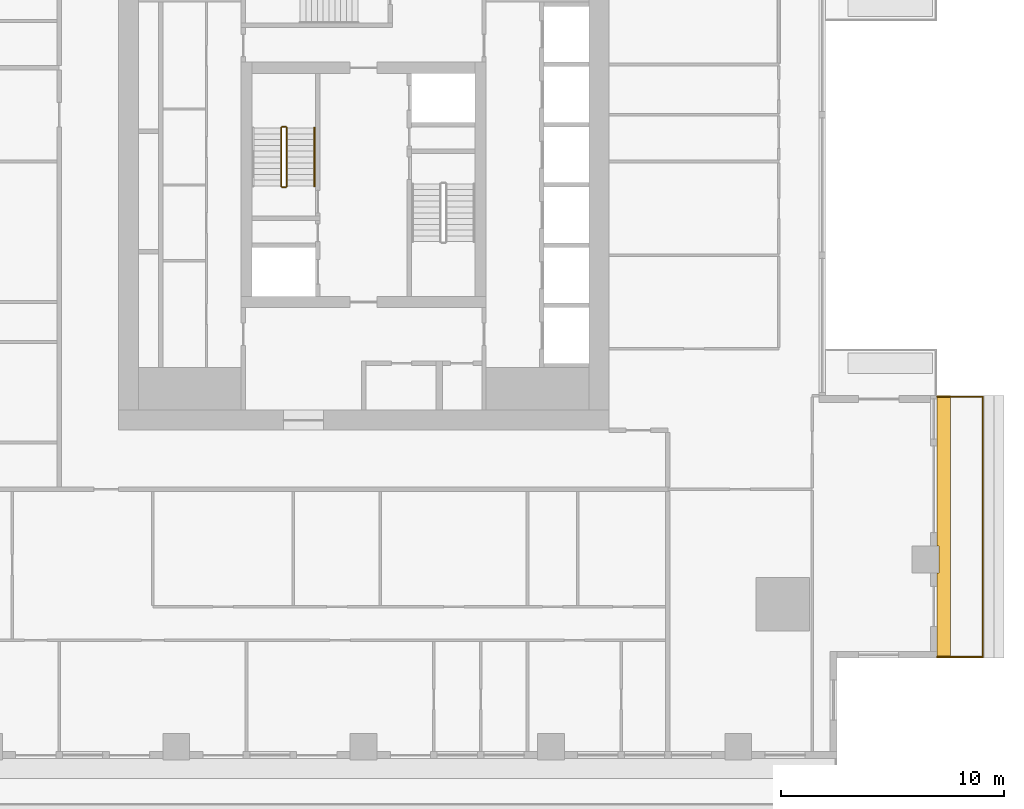
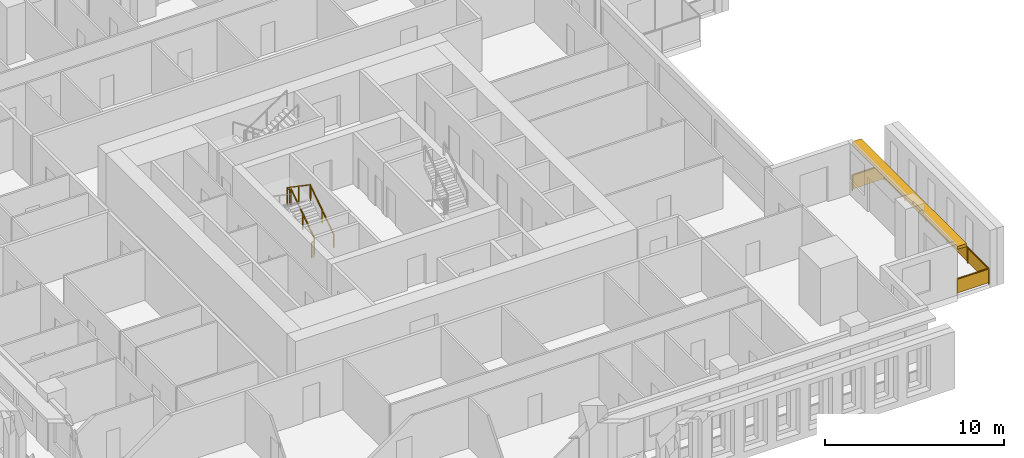
# One storey, part 12 of 15: 6 railings, 1 shading device.
"""IFC4 building model written with IfcOpenShell, lengths in metres."""

import ifcopenshell
import ifcopenshell.guid

model = None  # the IFC model being written
_history = None  # IfcOwnerHistory: only IFC2X3 demands one
_inside = {}  # id of a spatial element -> (the spatial element, [elements in it])
_under = {}  # id of a project, library or spatial element -> (it, [spatial elements below it])
_declared = {}  # id of a project -> (the project, [libraries it declares])
_typed = {}  # id of a type object -> (the type object, [elements of that type])
_made_of = {}  # id of a material, layer set ... -> (it, [elements and type objects made of it])


def new_model(schema):
    """Start an empty IFC model of exactly this schema.

    Asked for "IFC4X3", IfcOpenShell would pick the latest addendum, in which some entities
    have other attributes; the version numbers below select the first issue.
    IFC2X3 requires an IfcOwnerHistory on every rooted entity: one is made here for all.
    """
    global model, _history
    if schema == "IFC4X3":
        model = ifcopenshell.file(schema_version=(4, 3, 0, 0))
    else:
        model = ifcopenshell.file(schema=schema)
    _inside.clear()
    _under.clear()
    _declared.clear()
    _typed.clear()
    _made_of.clear()
    _history = None
    if model.schema == "IFC2X3":
        org = make("IfcOrganization", Name="unknown")
        user = make(
            "IfcPersonAndOrganization",
            ThePerson=make("IfcPerson", FamilyName="unknown"),
            TheOrganization=org,
        )
        app = make(
            "IfcApplication",
            ApplicationDeveloper=org,
            Version="unknown",
            ApplicationFullName="unknown",
            ApplicationIdentifier="unknown",
        )
        _history = make(
            "IfcOwnerHistory",
            OwningUser=user,
            OwningApplication=app,
            ChangeAction="ADDED",
            CreationDate=0,
        )
    return model


def make(cls, **values):
    """One entity of the class cls with the attributes given. An attribute that is None is left unset."""
    return model.create_entity(
        cls, **{name: value for name, value in values.items() if value is not None}
    )


def rooted(cls, **values):
    """An entity with a GlobalId (a new one), such as an element, a storey or a relation."""
    return make(cls, GlobalId=ifcopenshell.guid.new(), OwnerHistory=_history, **values)


def si_unit(unit_type, name, prefix=None):
    """IfcSIUnit, for example si_unit("LENGTHUNIT", "METRE", prefix="MILLI")."""
    return make("IfcSIUnit", UnitType=unit_type, Prefix=prefix, Name=name)


def assignment(units):
    """IfcUnitAssignment: the units of a project."""
    return None if units is None else make("IfcUnitAssignment", Units=units)


def point(xyz):
    """IfcCartesianPoint."""
    return None if xyz is None else make("IfcCartesianPoint", Coordinates=xyz)


def direction(xyz):
    """IfcDirection."""
    return None if xyz is None else make("IfcDirection", DirectionRatios=xyz)


def frame(location, z_axis=None, x_axis=None):
    """IfcAxis2Placement3D, a coordinate frame: its origin and axes. An axis left out is left unset."""
    return make(
        "IfcAxis2Placement3D",
        Location=point(location),
        Axis=direction(z_axis),
        RefDirection=direction(x_axis),
    )


def frame_2d(location, x_axis=None):
    """IfcAxis2Placement2D, a coordinate frame in the plane: its origin and x axis."""
    return make(
        "IfcAxis2Placement2D", Location=point(location), RefDirection=direction(x_axis)
    )


def origin():
    """The frame at (0, 0, 0) with its axes left unset."""
    return frame((0.0, 0.0, 0.0))


def origin_2d():
    """The frame at (0, 0) in the plane with its x axis left unset."""
    return frame_2d((0.0, 0.0))


def place(relative_to, where):
    """IfcLocalPlacement: puts the frame where relative to a parent placement (None: the world)."""
    return make(
        "IfcLocalPlacement", PlacementRelTo=relative_to, RelativePlacement=where
    )


def context(
    kind, dimensions, precision=None, world=None, true_north=None, identifier=None
):
    """IfcGeometricRepresentationContext, for example the 3D "Model" context."""
    return make(
        "IfcGeometricRepresentationContext",
        ContextIdentifier=identifier,
        ContextType=kind,
        CoordinateSpaceDimension=dimensions,
        Precision=precision,
        WorldCoordinateSystem=world,
        TrueNorth=true_north,
    )


def subcontext(parent, identifier, kind, view, scale=None):
    """IfcGeometricRepresentationSubContext, for example "Body" below "Model"."""
    return make(
        "IfcGeometricRepresentationSubContext",
        ContextIdentifier=identifier,
        ContextType=kind,
        ParentContext=parent,
        TargetScale=scale,
        TargetView=view,
    )


def project(units=None, contexts=None):
    """IfcProject with its units and contexts."""
    return rooted(
        "IfcProject",
        Name="project",
        RepresentationContexts=contexts,
        UnitsInContext=assignment(units),
    )


def spatial(cls, under=None, at=None, **own):
    """A site, building, storey or space (cls), placed at a placement, below another one or the project."""
    s = rooted(cls, ObjectPlacement=at, **own)
    if under is not None:
        _under.setdefault(under.id(), (under, []))[1].append(s)
    return s


def polyline(points):
    """IfcPolyline through the points."""
    return make("IfcPolyline", Points=[point(p) for p in points])


def profile(cls, at=None, kind="AREA", **sizes):
    """A parametric profile (cls). Its sizes go by their IFC names, for example OverallWidth=200.0."""
    return make(cls, ProfileType=kind, Position=at, **sizes)


def rectangle(**sizes):
    """IfcRectangleProfileDef."""
    return profile("IfcRectangleProfileDef", **sizes)


def outline(outer, holes=None, kind="AREA"):
    """IfcArbitraryClosedProfileDef: a profile drawn as a closed curve; with holes, ...WithVoids."""
    if holes is None:
        return make("IfcArbitraryClosedProfileDef", ProfileType=kind, OuterCurve=outer)
    return make(
        "IfcArbitraryProfileDefWithVoids",
        ProfileType=kind,
        OuterCurve=outer,
        InnerCurves=holes,
    )


def extrude(swept, where, along, depth):
    """IfcExtrudedAreaSolid: the profile swept, set in the frame where, extruded along a direction by depth."""
    return make(
        "IfcExtrudedAreaSolid",
        SweptArea=swept,
        Position=where,
        ExtrudedDirection=direction(along),
        Depth=depth,
    )


def shape(context_of_items, identifier, shape_type, items):
    """IfcShapeRepresentation: the items that make up one representation, for example the "Body"."""
    return make(
        "IfcShapeRepresentation",
        ContextOfItems=context_of_items,
        RepresentationIdentifier=identifier,
        RepresentationType=shape_type,
        Items=items,
    )


def material(Name=None, Category=None):
    """IfcMaterial."""
    return make("IfcMaterial", Name=Name, Category=Category)


def layer(
    of_material, thickness, ventilated=None, Name=None, Category=None, Priority=None
):
    """IfcMaterialLayer: one layer of a wall or slab, of a material (None: an air gap)."""
    return make(
        "IfcMaterialLayer",
        Material=of_material,
        LayerThickness=thickness,
        IsVentilated=ventilated,
        Name=Name,
        Category=Category,
        Priority=Priority,
    )


def layer_set(layers, Name=None):
    """IfcMaterialLayerSet."""
    return make("IfcMaterialLayerSet", MaterialLayers=layers, LayerSetName=Name)


def made_of(thing, what):
    """Note that an element or type object is made of a material, layer set ...; save() writes the relation."""
    if what is not None:
        _made_of.setdefault(what.id(), (what, []))[1].append(thing)
    return thing


def type_object(cls, material=None, **own):
    """A type object (cls), such as IfcWallType, which elements share."""
    return made_of(rooted(cls, **own), material)


def element(
    cls,
    number,
    at=None,
    inside=None,
    cuts=None,
    type_object=None,
    material=None,
    context=None,
    identifier="Body",
    shape_type=None,
    held_by="IfcProductDefinitionShape",
    body=None,
    shapes=None,
    **own,
):
    """One element of the class cls, such as IfcWall. Its Tag is "e" and its number.

    at: its placement. inside: the storey or other place that contains it. cuts: it is an
    opening in that element (IfcRelVoidsElement). A single representation is given by context,
    identifier, shape_type and body (its items); several are given by shapes. held_by: the class
    of the entity that holds the representations. save() writes the other relations.
    """
    e = rooted(cls, Tag="e%d" % number, ObjectPlacement=at, **own)
    if body is not None:
        shapes = [shape(context, identifier, shape_type, body)]
    if shapes is not None:
        e.Representation = make(held_by, Representations=shapes)
    if inside is not None:
        _inside.setdefault(inside.id(), (inside, []))[1].append(e)
    if cuts is not None:
        rooted(
            "IfcRelVoidsElement", RelatingBuildingElement=cuts, RelatedOpeningElement=e
        )
    if type_object is not None:
        _typed.setdefault(type_object.id(), (type_object, []))[1].append(e)
    return made_of(e, material)


def aggregate(whole, parts):
    """IfcRelAggregates: a whole, such as a stair, and the parts it consists of."""
    return rooted("IfcRelAggregates", RelatingObject=whole, RelatedObjects=parts)


def save(model, path):
    """Write the relations noted so far, then the file.

    IfcRelAggregates (storeys below a building ...), IfcRelContainedInSpatialStructure (elements
    in a storey), IfcRelDefinesByType, IfcRelAssociatesMaterial and IfcRelDeclares: one each for
    every whole, place, type object, material and project.
    """
    for whole, parts in _under.values():
        aggregate(whole, parts)
    for where, things in _inside.values():
        rooted(
            "IfcRelContainedInSpatialStructure",
            RelatedElements=things,
            RelatingStructure=where,
        )
    for kind, things in _typed.values():
        rooted("IfcRelDefinesByType", RelatedObjects=things, RelatingType=kind)
    for what, things in _made_of.values():
        rooted("IfcRelAssociatesMaterial", RelatedObjects=things, RelatingMaterial=what)
    for by, libraries in _declared.values():
        rooted("IfcRelDeclares", RelatingContext=by, RelatedDefinitions=libraries)
    model.write(path)


model = new_model("IFC4")

# Units and contexts
model_context = context("Model", 3, precision=1e-05, world=origin(), true_north=direction((0.0, 1.0)))
body_context = subcontext(model_context, "Body", "Model", "MODEL_VIEW")
ifc_project = project(units=[si_unit("LENGTHUNIT", "METRE"), si_unit("AREAUNIT", "SQUARE_METRE"), si_unit("VOLUMEUNIT", "CUBIC_METRE"), si_unit("PLANEANGLEUNIT", "RADIAN"), si_unit("MASSUNIT", "GRAM", prefix="KILO")], contexts=[model_context])

# Site, building, storey
site_placement = place(None, origin())
site = spatial("IfcSite", under=ifc_project, at=site_placement, CompositionType="ELEMENT")
building_placement = place(site_placement, origin())
building = spatial("IfcBuilding", under=site, at=building_placement, Name="Khepri Terraces", CompositionType="ELEMENT")
storey_placement = place(building_placement, frame((0.0, 0.0, 211.800048828125)))
storey = spatial("IfcBuildingStorey", under=building, at=storey_placement, Name="L50", CompositionType="ELEMENT", Elevation=211.800048828125)

# Railings
ifc_material_1 = material(Name="Stainless steel grade 316", Category="steel")
railing_type_1 = type_object("IfcRailingType", Name="GRD-BAL-1100", PredefinedType="GUARDRAIL", material=ifc_material_1)
railing_1_placement = place(storey_placement, frame((25.719970703125, -21.169921875, 0.0)))
element("IfcRailing", 1, at=railing_1_placement, inside=storey, type_object=railing_type_1, Name="Balcony guard L50 E", PredefinedType="GUARDRAIL", context=body_context, shape_type="SweptSolid", body=[
    extrude(rectangle(XDim=0.050048828125, YDim=0.06005859375, at=origin_2d()), frame((0.0, 0.0, 1.070068359375), z_axis=(1.0, 0.0, 0.0), x_axis=(0.0, 1.0, 0.0)), (0.0, 0.0, 1.0), 2.050048828125),
    extrude(rectangle(XDim=2.0, YDim=0.011962890625, at=origin_2d()), frame((1.02490234375, 0.0, 0.10009765625), z_axis=(0.0, 0.0, 1.0), x_axis=(1.0, 0.0, 0.0)), (0.0, 0.0, 1.0), 0.93994140625),
    extrude(rectangle(XDim=0.050048828125, YDim=0.06005859375, at=origin_2d()), frame((2.050048828125, 0.0, 1.070068359375), z_axis=(0.0, 1.0, 0.0), x_axis=(-1.0, 0.0, 0.0)), (0.0, 0.0, 1.0), 11.669921875),
    extrude(rectangle(XDim=2.283935546875, YDim=0.011962890625, at=origin_2d()), frame((2.050048828125, 1.1669921875, 0.10009765625), z_axis=(0.0, 0.0, 1.0), x_axis=(0.0, 1.0, 0.0)), (0.0, 0.0, 1.0), 0.93994140625),
    extrude(rectangle(XDim=2.283935546875, YDim=0.011962890625, at=origin_2d()), frame((2.050048828125, 3.5009765625, 0.10009765625), z_axis=(0.0, 0.0, 1.0), x_axis=(0.0, 1.0, 0.0)), (0.0, 0.0, 1.0), 0.93994140625),
    extrude(rectangle(XDim=2.283935546875, YDim=0.011962890625, at=origin_2d()), frame((2.050048828125, 5.8349609375, 0.10009765625), z_axis=(0.0, 0.0, 1.0), x_axis=(0.0, 1.0, 0.0)), (0.0, 0.0, 1.0), 0.93994140625),
    extrude(rectangle(XDim=2.283935546875, YDim=0.011962890625, at=origin_2d()), frame((2.050048828125, 8.1689453125, 0.10009765625), z_axis=(0.0, 0.0, 1.0), x_axis=(0.0, 1.0, 0.0)), (0.0, 0.0, 1.0), 0.93994140625),
    extrude(rectangle(XDim=2.283935546875, YDim=0.011962890625, at=origin_2d()), frame((2.050048828125, 10.5029296875, 0.10009765625), z_axis=(0.0, 0.0, 1.0), x_axis=(0.0, 1.0, 0.0)), (0.0, 0.0, 1.0), 0.93994140625),
    extrude(rectangle(XDim=0.050048828125, YDim=0.06005859375, at=origin_2d()), frame((2.050048828125, 11.669921875, 1.070068359375), z_axis=(-1.0, 0.0, 0.0), x_axis=(0.0, -1.0, 0.0)), (0.0, 0.0, 1.0), 2.050048828125),
    extrude(rectangle(XDim=2.0, YDim=0.011962890625, at=origin_2d()), frame((1.02490234375, 11.669921875, 0.10009765625), z_axis=(0.0, 0.0, 1.0), x_axis=(-1.0, 0.0, 0.0)), (0.0, 0.0, 1.0), 0.93994140625),
    extrude(rectangle(XDim=0.050048828125, YDim=0.050048828125, at=origin_2d()), origin(), (0.0, 0.0, 1.0), 1.0400390625),
    extrude(rectangle(XDim=0.050048828125, YDim=0.050048828125, at=origin_2d()), frame((2.050048828125, 0.0, 0.0)), (0.0, 0.0, 1.0), 1.0400390625),
    extrude(rectangle(XDim=0.050048828125, YDim=0.050048828125, at=origin_2d()), frame((2.050048828125, 2.333984375, 0.0)), (0.0, 0.0, 1.0), 1.0400390625),
    extrude(rectangle(XDim=0.050048828125, YDim=0.050048828125, at=origin_2d()), frame((2.050048828125, 4.66796875, 0.0)), (0.0, 0.0, 1.0), 1.0400390625),
    extrude(rectangle(XDim=0.050048828125, YDim=0.050048828125, at=origin_2d()), frame((2.050048828125, 7.001953125, 0.0)), (0.0, 0.0, 1.0), 1.0400390625),
    extrude(rectangle(XDim=0.050048828125, YDim=0.050048828125, at=origin_2d()), frame((2.050048828125, 9.3359375, 0.0)), (0.0, 0.0, 1.0), 1.0400390625),
    extrude(rectangle(XDim=0.050048828125, YDim=0.050048828125, at=origin_2d()), frame((2.050048828125, 11.669921875, 0.0)), (0.0, 0.0, 1.0), 1.0400390625),
    extrude(rectangle(XDim=0.050048828125, YDim=0.050048828125, at=origin_2d()), frame((0.0, 11.669921875, 0.0)), (0.0, 0.0, 1.0), 1.0400390625),
])
ifc_material_2 = material(Name="Stainless steel 316", Category="steel")
railing_type_2 = type_object("IfcRailingType", Name="RL-CORE-GUARD", PredefinedType="GUARDRAIL", material=ifc_material_2)
railing_2_placement = place(storey_placement, frame((-3.449951171875, -0.050048828125, 0.17724609375)))
element("IfcRailing", 2, at=railing_2_placement, inside=storey, type_object=railing_type_2, Name="L50 ST-1 stair guard 1", PredefinedType="GUARDRAIL", context=body_context, shape_type="SweptSolid", body=[
    extrude(rectangle(XDim=0.050048828125, YDim=0.06005859375, at=origin_2d()), frame((0.0, 0.0, 1.070068359375), z_axis=(0.0, 0.826240473404, 0.563317565952), x_axis=(-1.0, 0.0, 0.0)), (0.0, 0.0, 1.0), 3.14697265625),
    extrude(rectangle(XDim=0.050048828125, YDim=0.050048828125, at=origin_2d()), origin(), (0.0, 0.0, 1.0), 1.0400390625),
    extrude(rectangle(XDim=0.050048828125, YDim=0.050048828125, at=origin_2d()), frame((0.0, 1.300048828125, 0.88623046875)), (0.0, 0.0, 1.0), 1.0400390625),
    extrude(rectangle(XDim=0.050048828125, YDim=0.050048828125, at=origin_2d()), frame((0.0, 2.60009765625, 1.772705078125)), (0.0, 0.0, 1.0), 1.0400390625),
])
railing_3_placement = place(storey_placement, frame((-3.5, 2.60009765625, 1.949951171875)))
element("IfcRailing", 3, at=railing_3_placement, inside=storey, type_object=railing_type_2, Name="L50 ST-1 stair guard 2", PredefinedType="GUARDRAIL", context=body_context, shape_type="SweptSolid", body=[
    extrude(rectangle(XDim=0.050048828125, YDim=0.06005859375, at=origin_2d()), frame((0.0, 0.0, 1.070068359375), z_axis=(-1.0, 0.0, 0.0), x_axis=(0.0, -1.0, 0.0)), (0.0, 0.0, 1.0), 0.14990234375),
    extrude(rectangle(XDim=0.050048828125, YDim=0.050048828125, at=origin_2d()), origin(), (0.0, 0.0, 1.0), 1.0400390625),
    extrude(rectangle(XDim=0.050048828125, YDim=0.050048828125, at=origin_2d()), frame((-0.14990234375, 0.0, 0.0)), (0.0, 0.0, 1.0), 1.0400390625),
])
railing_4_placement = place(storey_placement, frame((-3.699951171875, 2.550048828125, 2.127197265625)))
element("IfcRailing", 4, at=railing_4_placement, inside=storey, type_object=railing_type_2, Name="L50 ST-1 stair guard 3", PredefinedType="GUARDRAIL", context=body_context, shape_type="SweptSolid", body=[
    extrude(rectangle(XDim=0.050048828125, YDim=0.06005859375, at=origin_2d()), frame((0.0, 0.0, 1.070068359375), z_axis=(0.0, -0.826240473404, 0.563317565952), x_axis=(1.0, 0.0, 0.0)), (0.0, 0.0, 1.0), 3.14697265625),
    extrude(rectangle(XDim=0.050048828125, YDim=0.050048828125, at=origin_2d()), origin(), (0.0, 0.0, 1.0), 1.0400390625),
    extrude(rectangle(XDim=0.050048828125, YDim=0.050048828125, at=origin_2d()), frame((0.0, -1.300048828125, 0.88623046875)), (0.0, 0.0, 1.0), 1.0400390625),
    extrude(rectangle(XDim=0.050048828125, YDim=0.050048828125, at=origin_2d()), frame((0.0, -2.60009765625, 1.772705078125)), (0.0, 0.0, 1.0), 1.0400390625),
])
railing_5_placement = place(storey_placement, frame((-3.5, -0.10009765625, 0.0)))
element("IfcRailing", 5, at=railing_5_placement, inside=storey, type_object=railing_type_2, Name="L50 ST-1 stair guard 4", PredefinedType="GUARDRAIL", context=body_context, shape_type="SweptSolid", body=[
    extrude(rectangle(XDim=0.050048828125, YDim=0.06005859375, at=origin_2d()), frame((0.0, 0.0, 1.070068359375), z_axis=(-1.0, 0.0, 0.0), x_axis=(0.0, -1.0, 0.0)), (0.0, 0.0, 1.0), 0.14990234375),
    extrude(rectangle(XDim=0.050048828125, YDim=0.050048828125, at=origin_2d()), origin(), (0.0, 0.0, 1.0), 1.0400390625),
    extrude(rectangle(XDim=0.050048828125, YDim=0.050048828125, at=origin_2d()), frame((-0.14990234375, 0.0, 0.0)), (0.0, 0.0, 1.0), 1.0400390625),
])
railing_type_3 = type_object("IfcRailingType", Name="RL-CORE-HANDRAIL", PredefinedType="HANDRAIL", material=ifc_material_2)
railing_6_placement = place(storey_placement, frame((-2.199951171875, -0.050048828125, 0.17724609375)))
element("IfcRailing", 6, at=railing_6_placement, inside=storey, type_object=railing_type_3, Name="L50 ST-1 stair handrail 1", PredefinedType="HANDRAIL", context=body_context, shape_type="SweptSolid", body=[
    extrude(rectangle(XDim=0.050048828125, YDim=0.050048828125, at=origin_2d()), frame((0.0, 0.0, 0.875), z_axis=(0.0, 0.826240473404, 0.563317565952), x_axis=(-1.0, 0.0, 0.0)), (0.0, 0.0, 1.0), 3.14697265625),
    extrude(rectangle(XDim=0.050048828125, YDim=0.050048828125, at=origin_2d()), origin(), (0.0, 0.0, 1.0), 0.849853515625),
    extrude(rectangle(XDim=0.050048828125, YDim=0.050048828125, at=origin_2d()), frame((0.0, 1.300048828125, 0.88623046875)), (0.0, 0.0, 1.0), 0.849853515625),
    extrude(rectangle(XDim=0.050048828125, YDim=0.050048828125, at=origin_2d()), frame((0.0, 2.60009765625, 1.772705078125)), (0.0, 0.0, 1.0), 0.849853515625),
])

# Shading device
ifc_material_3 = material(Name="Precast concrete C50/60 warm stone", Category="masonry")
ifc_layer = layer(ifc_material_3, 0.199951171875, Name="Precast concrete C50/60 warm stone", Category="masonry")
ifc_layer_set = layer_set([ifc_layer], Name="Precast concrete C50/60 warm stone")
shading_device_type = type_object("IfcShadingDeviceType", Name="SSH-BAND-STONE-200-N", PredefinedType="USERDEFINED", material=ifc_layer_set)
shading_device_placement = place(storey_placement, frame((0.0, 0.0, 3.099853515625)))
element("IfcShadingDevice", 7, at=shading_device_placement, inside=storey, type_object=shading_device_type, Name="Sunshade band L50 E", ObjectType="SUNSHADE", PredefinedType="USERDEFINED", context=body_context, shape_type="SweptSolid", body=[
    extrude(outline(polyline([(25.719970703125, -17.39990234375), (25.719970703125, -21.219970703125), (26.320068359375, -21.219970703125), (26.320068359375, -9.449951171875), (25.719970703125, -9.449951171875), (25.719970703125, -16.199951171875), (25.800048828125, -16.199951171875), (25.800048828125, -17.39990234375), (25.719970703125, -17.39990234375)])), origin(), (0.0, 0.0, 1.0), 0.2001953125),
])

save(model, "model.ifc")
